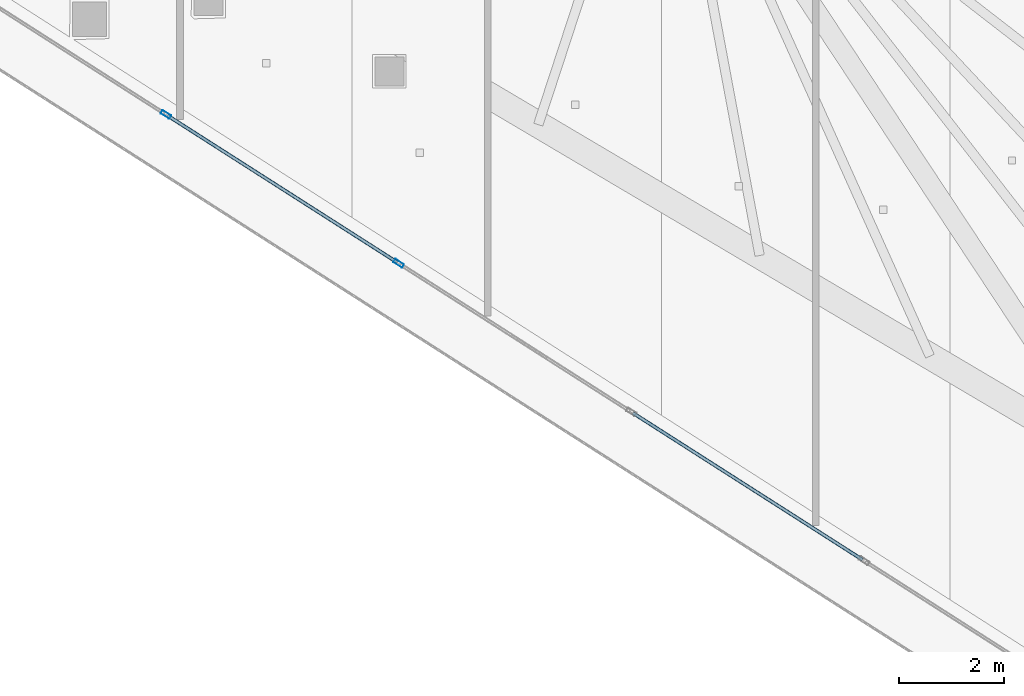
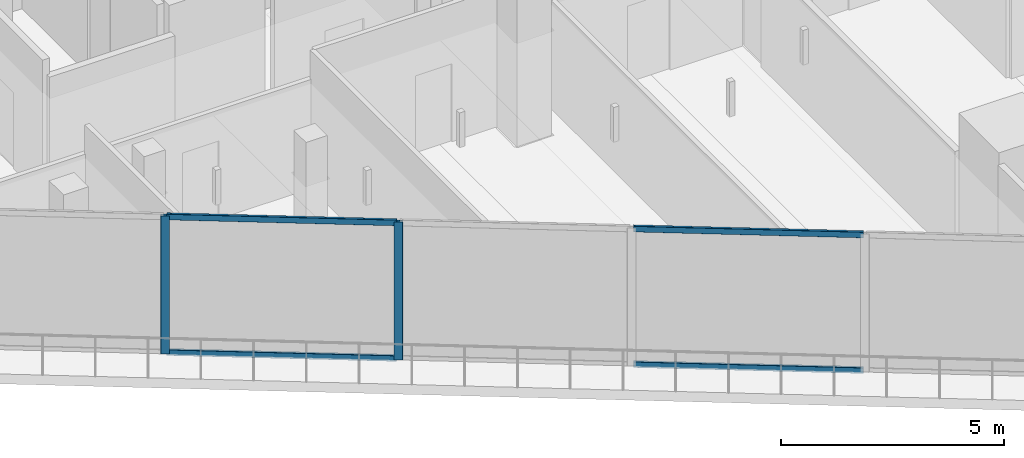
# One storey, part 3 of 32: 6 members, 1 element without a shape of its own.
"""IFC4 building model written with IfcOpenShell, lengths in metres."""

from ifc_helpers import new_model, si_unit, direction, frame, origin, origin_2d, place, context, subcontext, project, spatial, hollow_rectangle, extrude, material, layer, layer_set, material_profile, profile_set, type_object, element, aggregate, save


model = new_model("IFC4")

# Units and contexts
model_context = context("Model", 3, precision=1e-05, world=origin(), true_north=direction((0.0, 1.0)))
body_context = subcontext(model_context, "Body", "Model", "MODEL_VIEW")
ifc_project = project(units=[si_unit("LENGTHUNIT", "METRE"), si_unit("AREAUNIT", "SQUARE_METRE"), si_unit("VOLUMEUNIT", "CUBIC_METRE"), si_unit("PLANEANGLEUNIT", "RADIAN"), si_unit("MASSUNIT", "GRAM", prefix="KILO")], contexts=[model_context])

# Site, building, storey
site_placement = place(None, origin())
site = spatial("IfcSite", under=ifc_project, at=site_placement, CompositionType="ELEMENT")
building_placement = place(site_placement, origin())
building = spatial("IfcBuilding", under=site, at=building_placement, Name="Qorvath Tower", CompositionType="ELEMENT")
storey_placement = place(building_placement, frame((0.0, 0.0, 233.39990234375)))
storey = spatial("IfcBuildingStorey", under=building, at=storey_placement, Name="L54", CompositionType="ELEMENT", Elevation=233.39990234375)

# Curtain wall, members
ifc_material_1 = material(Name="Anodised aluminium and triple low-E glass", Category="aluminium")
ifc_layer = layer(ifc_material_1, 0.179931640625)
ifc_layer_set = layer_set([ifc_layer], Name="CW-SYS-5")
curtain_wall_type = type_object("IfcCurtainWallType", Name="CW-SYS-5", PredefinedType="NOTDEFINED", material=ifc_layer_set)
curtain_wall_placement = place(storey_placement, origin())
curtain_wall = element("IfcCurtainWall", 1, at=curtain_wall_placement, inside=storey, type_object=curtain_wall_type, Name="Curtain Wall CW-5 CW-T-L54-4.1", PredefinedType="NOTDEFINED")
ifc_material_2 = material(Name="Anodised aluminium 6063-T6", Category="aluminium")
ifc_material_profile_1 = material_profile(ifc_material_2, hollow_rectangle(XDim=0.074951171875, YDim=0.199951171875, WallThickness=0.00390625, InnerFilletRadius=0.00390625, OuterFilletRadius=0.008056640625, at=origin_2d()), Name="CWM 200x75")
ifc_profile_set_1 = profile_set([ifc_material_profile_1], Name="Anodised aluminium 6063-T6")
member_type_1 = type_object("IfcMemberType", Name="CWM-200", PredefinedType="MULLION", material=ifc_profile_set_1)
member_1_placement = place(storey_placement, frame((-34.916748046875, -14.9423828125, 0.0), z_axis=(0.0, 0.0, 1.0), x_axis=(0.538528188002, 0.842607495057, 0.0)))
member_1 = element("IfcMember", 2, at=member_1_placement, type_object=member_type_1, Name="CW-5 mullion 4", PredefinedType="MULLION", context=body_context, shape_type="SweptSolid", body=[
    extrude(hollow_rectangle(XDim=0.074951171875, YDim=0.199951171875, WallThickness=0.00390625, InnerFilletRadius=0.00390625, OuterFilletRadius=0.008056640625, at=origin_2d()), origin(), (0.0, 0.0, 1.0), 3.780029296875),
])
member_2_placement = place(storey_placement, frame((-30.501953125, -17.763916015625, 0.0), z_axis=(0.0, 0.0, 1.0), x_axis=(0.538528188002, 0.842607495057, 0.0)))
member_2 = element("IfcMember", 3, at=member_2_placement, type_object=member_type_1, Name="CW-5 mullion 5", PredefinedType="MULLION", context=body_context, shape_type="SweptSolid", body=[
    extrude(hollow_rectangle(XDim=0.074951171875, YDim=0.199951171875, WallThickness=0.00390625, InnerFilletRadius=0.00390625, OuterFilletRadius=0.008056640625, at=origin_2d()), origin(), (0.0, 0.0, 1.0), 3.780029296875),
])
ifc_material_3 = material(Name="Anodised aluminium 6063-T6", Category="aluminium")
ifc_material_profile_2 = material_profile(ifc_material_3, hollow_rectangle(XDim=0.06494140625, YDim=0.159912109375, WallThickness=0.00341796875, InnerFilletRadius=0.00341796875, OuterFilletRadius=0.007080078125, at=origin_2d()), Name="CWT 160x65")
ifc_profile_set_2 = profile_set([ifc_material_profile_2], Name="Anodised aluminium 6063-T6")
member_type_2 = type_object("IfcMemberType", Name="CWT-160", PredefinedType="USERDEFINED", material=ifc_profile_set_2)
member_3_placement = place(storey_placement, frame((-34.88525390625, -14.96240234375, 0.032470703125), z_axis=(0.842593182157, -0.538550582009, 0.0), x_axis=(0.538550582009, 0.842593182157, 0.0)))
member_3 = element("IfcMember", 4, at=member_3_placement, type_object=member_type_2, Name="CW-5 transom 4.1", ObjectType="TRANSOM", PredefinedType="USERDEFINED", context=body_context, shape_type="SweptSolid", body=[
    extrude(hollow_rectangle(XDim=0.06494140625, YDim=0.159912109375, WallThickness=0.00341796875, InnerFilletRadius=0.00341796875, OuterFilletRadius=0.007080078125, at=origin_2d()), origin(), (0.0, 0.0, 1.0), 5.164794921875),
])
member_4_placement = place(storey_placement, frame((-34.88525390625, -14.96240234375, 3.74755859375), z_axis=(0.842593182157, -0.538550582009, 0.0), x_axis=(0.538550582009, 0.842593182157, 0.0)))
member_4 = element("IfcMember", 5, at=member_4_placement, type_object=member_type_2, Name="CW-5 transom 4.2", ObjectType="TRANSOM", PredefinedType="USERDEFINED", context=body_context, shape_type="SweptSolid", body=[
    extrude(hollow_rectangle(XDim=0.06494140625, YDim=0.159912109375, WallThickness=0.00341796875, InnerFilletRadius=0.00341796875, OuterFilletRadius=0.007080078125, at=origin_2d()), origin(), (0.0, 0.0, 1.0), 5.164794921875),
])
member_5_placement = place(storey_placement, frame((-26.05517578125, -20.60595703125, 0.032470703125), z_axis=(0.842614632309, -0.538517020548, 0.0), x_axis=(0.538517020548, 0.842614632309, 0.0)))
member_5 = element("IfcMember", 6, at=member_5_placement, type_object=member_type_2, Name="CW-5 transom 6.1", ObjectType="TRANSOM", PredefinedType="USERDEFINED", context=body_context, shape_type="SweptSolid", body=[
    extrude(hollow_rectangle(XDim=0.06494140625, YDim=0.159912109375, WallThickness=0.00341796875, InnerFilletRadius=0.00341796875, OuterFilletRadius=0.007080078125, at=origin_2d()), origin(), (0.0, 0.0, 1.0), 5.16455078125),
])
member_6_placement = place(storey_placement, frame((-26.05517578125, -20.60595703125, 3.74755859375), z_axis=(0.842614632309, -0.538517020548, 0.0), x_axis=(0.538517020548, 0.842614632309, 0.0)))
member_6 = element("IfcMember", 7, at=member_6_placement, type_object=member_type_2, Name="CW-5 transom 6.2", ObjectType="TRANSOM", PredefinedType="USERDEFINED", context=body_context, shape_type="SweptSolid", body=[
    extrude(hollow_rectangle(XDim=0.06494140625, YDim=0.159912109375, WallThickness=0.00341796875, InnerFilletRadius=0.00341796875, OuterFilletRadius=0.007080078125, at=origin_2d()), origin(), (0.0, 0.0, 1.0), 5.16455078125),
])
aggregate(curtain_wall, [member_1, member_2, member_3, member_4, member_5, member_6])

save(model, "model.ifc")
